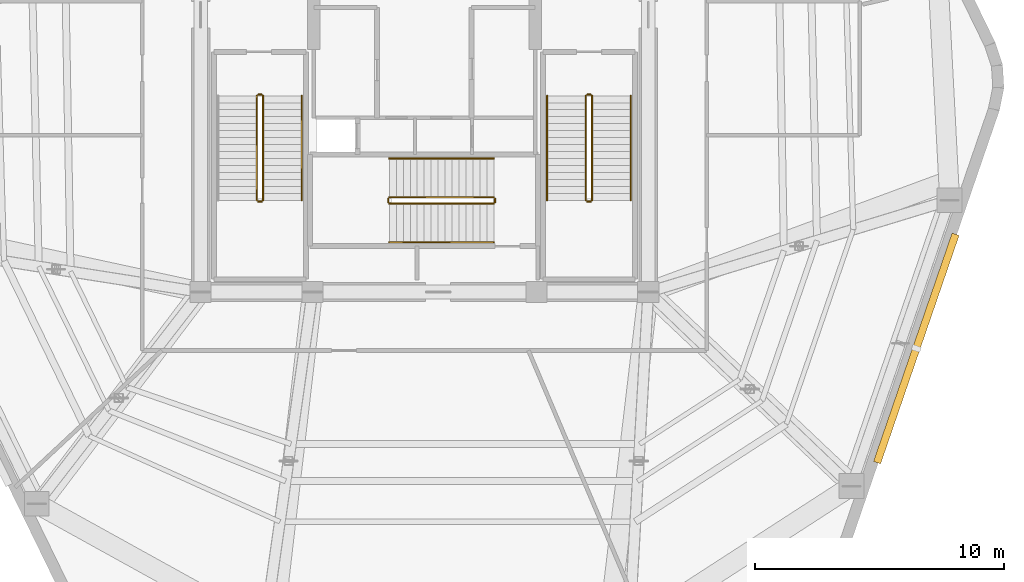
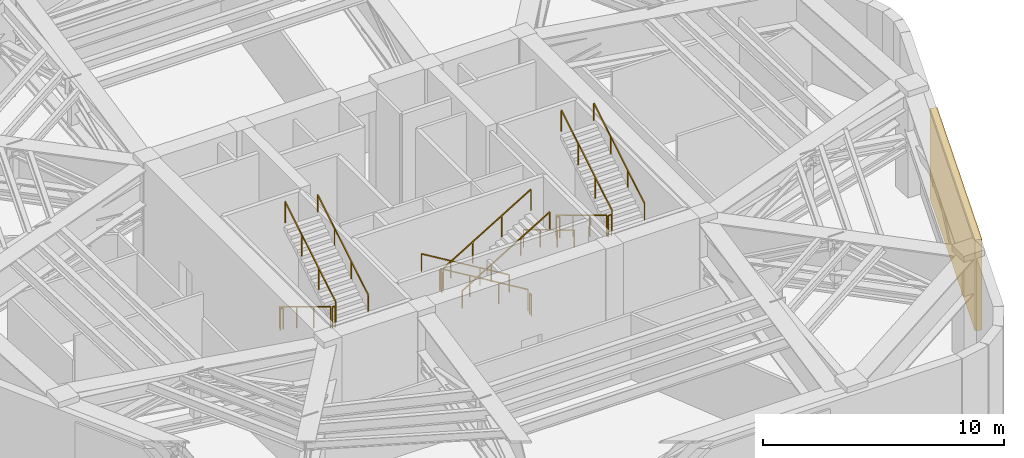
# One storey, part 9 of 10: 17 railings, 1 shading device.
"""IFC4 building model written with IfcOpenShell, lengths in metres."""

from ifc_helpers import new_model, si_unit, direction, frame, origin, origin_2d, place, context, subcontext, project, spatial, rectangle, extrude, material, layer, layer_set, type_object, element, save


model = new_model("IFC4")

# Units and contexts
model_context = context("Model", 3, precision=1e-05, world=origin(), true_north=direction((0.0, 1.0)))
body_context = subcontext(model_context, "Body", "Model", "MODEL_VIEW")
ifc_project = project(units=[si_unit("LENGTHUNIT", "METRE"), si_unit("AREAUNIT", "SQUARE_METRE"), si_unit("VOLUMEUNIT", "CUBIC_METRE"), si_unit("PLANEANGLEUNIT", "RADIAN"), si_unit("MASSUNIT", "GRAM", prefix="KILO")], contexts=[model_context])

# Site, building, storey
site_placement = place(None, origin())
site = spatial("IfcSite", under=ifc_project, at=site_placement, CompositionType="ELEMENT")
building_placement = place(site_placement, origin())
building = spatial("IfcBuilding", under=site, at=building_placement, Name="Kilnhurst Terrace Hotel", CompositionType="ELEMENT")
storey_placement = place(building_placement, frame((0.0, 0.0, 255.89990234375)))
storey = spatial("IfcBuildingStorey", under=building, at=storey_placement, Name="L64", CompositionType="ELEMENT", Elevation=255.89990234375)

# Railings
ifc_material_1 = material(Name="Powder-Coated Steel ASTM A500 Grade B", Category="steel")
ifc_layer_1 = layer(ifc_material_1, 0.050048828125, Name="Powder-Coated Steel ASTM A500 Grade B")
ifc_layer_set_1 = layer_set([ifc_layer_1], Name="Powder-Coated Steel ASTM A500 Grade B")
railing_type_1 = type_object("IfcRailingType", Name="RLG-ST-GRD-1100", PredefinedType="GUARDRAIL", material=ifc_layer_set_1)
railing_1_placement = place(storey_placement, frame((-6.739990234375, 0.389892578125, 0.1689453125)))
element("IfcRailing", 1, at=railing_1_placement, inside=storey, type_object=railing_type_1, Name="L64 ST-1 stair guard 1", PredefinedType="GUARDRAIL", context=body_context, shape_type="SweptSolid", body=[
    extrude(rectangle(XDim=0.048095703125, YDim=0.048095703125, at=origin_2d()), frame((0.0, 0.0, 1.076171875), z_axis=(0.0, -0.856476492594, 0.516186030065), x_axis=(1.0, 0.0, 0.0)), (0.0, 0.0, 1.0), 4.90380859375),
    extrude(rectangle(XDim=0.0419921875, YDim=0.0419921875, at=origin_2d()), origin(), (0.0, 0.0, 1.0), 1.052001953125),
    extrude(rectangle(XDim=0.0419921875, YDim=0.0419921875, at=origin_2d()), frame((0.0, -1.39990234375, 0.84375)), (0.0, 0.0, 1.0), 1.052001953125),
    extrude(rectangle(XDim=0.0419921875, YDim=0.0419921875, at=origin_2d()), frame((0.0, -2.800048828125, 1.6875)), (0.0, 0.0, 1.0), 1.052001953125),
    extrude(rectangle(XDim=0.0419921875, YDim=0.0419921875, at=origin_2d()), frame((0.0, -4.199951171875, 2.53125)), (0.0, 0.0, 1.0), 1.052001953125),
])
railing_2_placement = place(storey_placement, frame((-6.68994140625, -3.860107421875, 2.7001953125)))
element("IfcRailing", 2, at=railing_2_placement, inside=storey, type_object=railing_type_1, Name="L64 ST-1 stair guard 2", PredefinedType="GUARDRAIL", context=body_context, shape_type="SweptSolid", body=[
    extrude(rectangle(XDim=0.048095703125, YDim=0.048095703125, at=origin_2d()), frame((0.0, 0.0, 1.076171875), z_axis=(1.0, 0.0, 0.0), x_axis=(0.0, 1.0, 0.0)), (0.0, 0.0, 1.0), 0.14990234375),
    extrude(rectangle(XDim=0.0419921875, YDim=0.0419921875, at=origin_2d()), origin(), (0.0, 0.0, 1.0), 1.052001953125),
    extrude(rectangle(XDim=0.0419921875, YDim=0.0419921875, at=origin_2d()), frame((0.14990234375, 0.0, 0.0)), (0.0, 0.0, 1.0), 1.052001953125),
])
railing_3_placement = place(storey_placement, frame((-6.489990234375, -3.81005859375, 2.868896484375)))
element("IfcRailing", 3, at=railing_3_placement, inside=storey, type_object=railing_type_1, Name="L64 ST-1 stair guard 3", PredefinedType="GUARDRAIL", context=body_context, shape_type="SweptSolid", body=[
    extrude(rectangle(XDim=0.048095703125, YDim=0.048095703125, at=origin_2d()), frame((0.0, 0.0, 1.076171875), z_axis=(0.0, 0.856476492594, 0.516186030065), x_axis=(-1.0, 0.0, 0.0)), (0.0, 0.0, 1.0), 4.90380859375),
    extrude(rectangle(XDim=0.0419921875, YDim=0.0419921875, at=origin_2d()), origin(), (0.0, 0.0, 1.0), 1.052001953125),
    extrude(rectangle(XDim=0.0419921875, YDim=0.0419921875, at=origin_2d()), frame((0.0, 1.39990234375, 0.84375)), (0.0, 0.0, 1.0), 1.052001953125),
    extrude(rectangle(XDim=0.0419921875, YDim=0.0419921875, at=origin_2d()), frame((0.0, 2.800048828125, 1.6875)), (0.0, 0.0, 1.0), 1.052001953125),
    extrude(rectangle(XDim=0.0419921875, YDim=0.0419921875, at=origin_2d()), frame((0.0, 4.199951171875, 2.53125)), (0.0, 0.0, 1.0), 1.052001953125),
])
railing_4_placement = place(storey_placement, frame((-6.68994140625, 0.43994140625, 0.0)))
element("IfcRailing", 4, at=railing_4_placement, inside=storey, type_object=railing_type_1, Name="L64 ST-1 stair guard 4", PredefinedType="GUARDRAIL", context=body_context, shape_type="SweptSolid", body=[
    extrude(rectangle(XDim=0.048095703125, YDim=0.048095703125, at=origin_2d()), frame((0.0, 0.0, 1.076171875), z_axis=(1.0, 0.0, 0.0), x_axis=(0.0, 1.0, 0.0)), (0.0, 0.0, 1.0), 0.14990234375),
    extrude(rectangle(XDim=0.0419921875, YDim=0.0419921875, at=origin_2d()), origin(), (0.0, 0.0, 1.0), 1.052001953125),
    extrude(rectangle(XDim=0.0419921875, YDim=0.0419921875, at=origin_2d()), frame((0.14990234375, 0.0, 0.0)), (0.0, 0.0, 1.0), 1.052001953125),
])
railing_5_placement = place(storey_placement, frame((6.489990234375, 0.389892578125, 0.1689453125)))
element("IfcRailing", 5, at=railing_5_placement, inside=storey, type_object=railing_type_1, Name="L64 ST-2 stair guard 1", PredefinedType="GUARDRAIL", context=body_context, shape_type="SweptSolid", body=[
    extrude(rectangle(XDim=0.048095703125, YDim=0.048095703125, at=origin_2d()), frame((0.0, 0.0, 1.076171875), z_axis=(0.0, -0.856476492594, 0.516186030065), x_axis=(1.0, 0.0, 0.0)), (0.0, 0.0, 1.0), 4.90380859375),
    extrude(rectangle(XDim=0.0419921875, YDim=0.0419921875, at=origin_2d()), origin(), (0.0, 0.0, 1.0), 1.052001953125),
    extrude(rectangle(XDim=0.0419921875, YDim=0.0419921875, at=origin_2d()), frame((0.0, -1.39990234375, 0.84375)), (0.0, 0.0, 1.0), 1.052001953125),
    extrude(rectangle(XDim=0.0419921875, YDim=0.0419921875, at=origin_2d()), frame((0.0, -2.800048828125, 1.6875)), (0.0, 0.0, 1.0), 1.052001953125),
    extrude(rectangle(XDim=0.0419921875, YDim=0.0419921875, at=origin_2d()), frame((0.0, -4.199951171875, 2.53125)), (0.0, 0.0, 1.0), 1.052001953125),
])
railing_6_placement = place(storey_placement, frame((6.5400390625, -3.860107421875, 2.7001953125)))
element("IfcRailing", 6, at=railing_6_placement, inside=storey, type_object=railing_type_1, Name="L64 ST-2 stair guard 2", PredefinedType="GUARDRAIL", context=body_context, shape_type="SweptSolid", body=[
    extrude(rectangle(XDim=0.048095703125, YDim=0.048095703125, at=origin_2d()), frame((0.0, 0.0, 1.076171875), z_axis=(1.0, 0.0, 0.0), x_axis=(0.0, 1.0, 0.0)), (0.0, 0.0, 1.0), 0.14990234375),
    extrude(rectangle(XDim=0.0419921875, YDim=0.0419921875, at=origin_2d()), origin(), (0.0, 0.0, 1.0), 1.052001953125),
    extrude(rectangle(XDim=0.0419921875, YDim=0.0419921875, at=origin_2d()), frame((0.14990234375, 0.0, 0.0)), (0.0, 0.0, 1.0), 1.052001953125),
])
railing_7_placement = place(storey_placement, frame((6.739990234375, -3.81005859375, 2.868896484375)))
element("IfcRailing", 7, at=railing_7_placement, inside=storey, type_object=railing_type_1, Name="L64 ST-2 stair guard 3", PredefinedType="GUARDRAIL", context=body_context, shape_type="SweptSolid", body=[
    extrude(rectangle(XDim=0.048095703125, YDim=0.048095703125, at=origin_2d()), frame((0.0, 0.0, 1.076171875), z_axis=(0.0, 0.856476492594, 0.516186030065), x_axis=(-1.0, 0.0, 0.0)), (0.0, 0.0, 1.0), 4.90380859375),
    extrude(rectangle(XDim=0.0419921875, YDim=0.0419921875, at=origin_2d()), origin(), (0.0, 0.0, 1.0), 1.052001953125),
    extrude(rectangle(XDim=0.0419921875, YDim=0.0419921875, at=origin_2d()), frame((0.0, 1.39990234375, 0.84375)), (0.0, 0.0, 1.0), 1.052001953125),
    extrude(rectangle(XDim=0.0419921875, YDim=0.0419921875, at=origin_2d()), frame((0.0, 2.800048828125, 1.6875)), (0.0, 0.0, 1.0), 1.052001953125),
    extrude(rectangle(XDim=0.0419921875, YDim=0.0419921875, at=origin_2d()), frame((0.0, 4.199951171875, 2.53125)), (0.0, 0.0, 1.0), 1.052001953125),
])
railing_8_placement = place(storey_placement, frame((6.5400390625, 0.43994140625, 0.0)))
element("IfcRailing", 8, at=railing_8_placement, inside=storey, type_object=railing_type_1, Name="L64 ST-2 stair guard 4", PredefinedType="GUARDRAIL", context=body_context, shape_type="SweptSolid", body=[
    extrude(rectangle(XDim=0.048095703125, YDim=0.048095703125, at=origin_2d()), frame((0.0, 0.0, 1.076171875), z_axis=(1.0, 0.0, 0.0), x_axis=(0.0, 1.0, 0.0)), (0.0, 0.0, 1.0), 0.14990234375),
    extrude(rectangle(XDim=0.0419921875, YDim=0.0419921875, at=origin_2d()), origin(), (0.0, 0.0, 1.0), 1.052001953125),
    extrude(rectangle(XDim=0.0419921875, YDim=0.0419921875, at=origin_2d()), frame((0.14990234375, 0.0, 0.0)), (0.0, 0.0, 1.0), 1.052001953125),
])
railing_9_placement = place(storey_placement, frame((2.7900390625, -3.68994140625, 0.1689453125)))
element("IfcRailing", 9, at=railing_9_placement, inside=storey, type_object=railing_type_1, Name="L64 ST-3 stair guard 1", PredefinedType="GUARDRAIL", context=body_context, shape_type="SweptSolid", body=[
    extrude(rectangle(XDim=0.048095703125, YDim=0.048095703125, at=origin_2d()), frame((0.0, 0.0, 1.076171875), z_axis=(-0.856476492594, 0.0, 0.516186030065), x_axis=(0.0, -1.0, 0.0)), (0.0, 0.0, 1.0), 4.90380859375),
    extrude(rectangle(XDim=0.0419921875, YDim=0.0419921875, at=origin_2d()), origin(), (0.0, 0.0, 1.0), 1.052001953125),
    extrude(rectangle(XDim=0.0419921875, YDim=0.0419921875, at=origin_2d()), frame((-1.39990234375, 0.0, 0.84375)), (0.0, 0.0, 1.0), 1.052001953125),
    extrude(rectangle(XDim=0.0419921875, YDim=0.0419921875, at=origin_2d()), frame((-2.800048828125, 0.0, 1.6875)), (0.0, 0.0, 1.0), 1.052001953125),
    extrude(rectangle(XDim=0.0419921875, YDim=0.0419921875, at=origin_2d()), frame((-4.199951171875, 0.0, 2.53125)), (0.0, 0.0, 1.0), 1.052001953125),
])
railing_10_placement = place(storey_placement, frame((-1.4599609375, -3.739990234375, 2.7001953125)))
element("IfcRailing", 10, at=railing_10_placement, inside=storey, type_object=railing_type_1, Name="L64 ST-3 stair guard 2", PredefinedType="GUARDRAIL", context=body_context, shape_type="SweptSolid", body=[
    extrude(rectangle(XDim=0.048095703125, YDim=0.048095703125, at=origin_2d()), frame((0.0, 0.0, 1.076171875), z_axis=(0.0, -1.0, 0.0), x_axis=(1.0, 0.0, 0.0)), (0.0, 0.0, 1.0), 0.14990234375),
    extrude(rectangle(XDim=0.0419921875, YDim=0.0419921875, at=origin_2d()), origin(), (0.0, 0.0, 1.0), 1.052001953125),
    extrude(rectangle(XDim=0.0419921875, YDim=0.0419921875, at=origin_2d()), frame((0.0, -0.14990234375, 0.0)), (0.0, 0.0, 1.0), 1.052001953125),
])
railing_11_placement = place(storey_placement, frame((-1.409912109375, -3.93994140625, 2.868896484375)))
element("IfcRailing", 11, at=railing_11_placement, inside=storey, type_object=railing_type_1, Name="L64 ST-3 stair guard 3", PredefinedType="GUARDRAIL", context=body_context, shape_type="SweptSolid", body=[
    extrude(rectangle(XDim=0.048095703125, YDim=0.048095703125, at=origin_2d()), frame((0.0, 0.0, 1.076171875), z_axis=(0.856476492594, 0.0, 0.516186030065), x_axis=(0.0, 1.0, 0.0)), (0.0, 0.0, 1.0), 4.90380859375),
    extrude(rectangle(XDim=0.0419921875, YDim=0.0419921875, at=origin_2d()), origin(), (0.0, 0.0, 1.0), 1.052001953125),
    extrude(rectangle(XDim=0.0419921875, YDim=0.0419921875, at=origin_2d()), frame((1.39990234375, 0.0, 0.84375)), (0.0, 0.0, 1.0), 1.052001953125),
    extrude(rectangle(XDim=0.0419921875, YDim=0.0419921875, at=origin_2d()), frame((2.800048828125, 0.0, 1.6875)), (0.0, 0.0, 1.0), 1.052001953125),
    extrude(rectangle(XDim=0.0419921875, YDim=0.0419921875, at=origin_2d()), frame((4.199951171875, 0.0, 2.53125)), (0.0, 0.0, 1.0), 1.052001953125),
])
railing_12_placement = place(storey_placement, frame((2.840087890625, -3.739990234375, 0.0)))
element("IfcRailing", 12, at=railing_12_placement, inside=storey, type_object=railing_type_1, Name="L64 ST-3 stair guard 4", PredefinedType="GUARDRAIL", context=body_context, shape_type="SweptSolid", body=[
    extrude(rectangle(XDim=0.048095703125, YDim=0.048095703125, at=origin_2d()), frame((0.0, 0.0, 1.076171875), z_axis=(0.0, -1.0, 0.0), x_axis=(1.0, 0.0, 0.0)), (0.0, 0.0, 1.0), 0.14990234375),
    extrude(rectangle(XDim=0.0419921875, YDim=0.0419921875, at=origin_2d()), origin(), (0.0, 0.0, 1.0), 1.052001953125),
    extrude(rectangle(XDim=0.0419921875, YDim=0.0419921875, at=origin_2d()), frame((0.0, -0.14990234375, 0.0)), (0.0, 0.0, 1.0), 1.052001953125),
])
ifc_material_2 = material(Name="Brushed Stainless Steel AISI 304", Category="steel")
ifc_layer_2 = layer(ifc_material_2, 0.048095703125, Name="Brushed Stainless Steel AISI 304")
ifc_layer_set_2 = layer_set([ifc_layer_2], Name="Brushed Stainless Steel AISI 304")
railing_type_2 = type_object("IfcRailingType", Name="RLG-ST-HRL-900", PredefinedType="HANDRAIL", material=ifc_layer_set_2)
railing_13_placement = place(storey_placement, frame((-4.929931640625, -3.81005859375, 2.868896484375)))
element("IfcRailing", 13, at=railing_13_placement, inside=storey, type_object=railing_type_2, Name="L64 ST-1 stair handrail 2", PredefinedType="HANDRAIL", context=body_context, shape_type="SweptSolid", body=[
    extrude(rectangle(XDim=0.048095703125, YDim=0.048095703125, at=origin_2d()), frame((0.0, 0.0, 0.8759765625), z_axis=(0.0, 0.856476492594, 0.516186030065), x_axis=(-1.0, 0.0, 0.0)), (0.0, 0.0, 1.0), 4.90380859375),
    extrude(rectangle(XDim=0.0419921875, YDim=0.0419921875, at=origin_2d()), origin(), (0.0, 0.0, 1.0), 0.851806640625),
    extrude(rectangle(XDim=0.0419921875, YDim=0.0419921875, at=origin_2d()), frame((0.0, 1.39990234375, 0.84375)), (0.0, 0.0, 1.0), 0.851806640625),
    extrude(rectangle(XDim=0.0419921875, YDim=0.0419921875, at=origin_2d()), frame((0.0, 2.800048828125, 1.6875)), (0.0, 0.0, 1.0), 0.851806640625),
    extrude(rectangle(XDim=0.0419921875, YDim=0.0419921875, at=origin_2d()), frame((0.0, 4.199951171875, 2.53125)), (0.0, 0.0, 1.0), 0.851806640625),
])
railing_14_placement = place(storey_placement, frame((4.929931640625, 0.389892578125, 0.1689453125)))
element("IfcRailing", 14, at=railing_14_placement, inside=storey, type_object=railing_type_2, Name="L64 ST-2 stair handrail 1", PredefinedType="HANDRAIL", context=body_context, shape_type="SweptSolid", body=[
    extrude(rectangle(XDim=0.048095703125, YDim=0.048095703125, at=origin_2d()), frame((0.0, 0.0, 0.8759765625), z_axis=(0.0, -0.856476492594, 0.516186030065), x_axis=(1.0, 0.0, 0.0)), (0.0, 0.0, 1.0), 4.90380859375),
    extrude(rectangle(XDim=0.0419921875, YDim=0.0419921875, at=origin_2d()), origin(), (0.0, 0.0, 1.0), 0.851806640625),
    extrude(rectangle(XDim=0.0419921875, YDim=0.0419921875, at=origin_2d()), frame((0.0, -1.39990234375, 0.84375)), (0.0, 0.0, 1.0), 0.851806640625),
    extrude(rectangle(XDim=0.0419921875, YDim=0.0419921875, at=origin_2d()), frame((0.0, -2.800048828125, 1.6875)), (0.0, 0.0, 1.0), 0.851806640625),
    extrude(rectangle(XDim=0.0419921875, YDim=0.0419921875, at=origin_2d()), frame((0.0, -4.199951171875, 2.53125)), (0.0, 0.0, 1.0), 0.851806640625),
])
railing_15_placement = place(storey_placement, frame((8.300048828125, -3.81005859375, 2.868896484375)))
element("IfcRailing", 15, at=railing_15_placement, inside=storey, type_object=railing_type_2, Name="L64 ST-2 stair handrail 2", PredefinedType="HANDRAIL", context=body_context, shape_type="SweptSolid", body=[
    extrude(rectangle(XDim=0.048095703125, YDim=0.048095703125, at=origin_2d()), frame((0.0, 0.0, 0.8759765625), z_axis=(0.0, 0.856476492594, 0.516186030065), x_axis=(-1.0, 0.0, 0.0)), (0.0, 0.0, 1.0), 4.90380859375),
    extrude(rectangle(XDim=0.0419921875, YDim=0.0419921875, at=origin_2d()), origin(), (0.0, 0.0, 1.0), 0.851806640625),
    extrude(rectangle(XDim=0.0419921875, YDim=0.0419921875, at=origin_2d()), frame((0.0, 1.39990234375, 0.84375)), (0.0, 0.0, 1.0), 0.851806640625),
    extrude(rectangle(XDim=0.0419921875, YDim=0.0419921875, at=origin_2d()), frame((0.0, 2.800048828125, 1.6875)), (0.0, 0.0, 1.0), 0.851806640625),
    extrude(rectangle(XDim=0.0419921875, YDim=0.0419921875, at=origin_2d()), frame((0.0, 4.199951171875, 2.53125)), (0.0, 0.0, 1.0), 0.851806640625),
])
railing_16_placement = place(storey_placement, frame((2.7900390625, -2.1298828125, 0.1689453125)))
element("IfcRailing", 16, at=railing_16_placement, inside=storey, type_object=railing_type_2, Name="L64 ST-3 stair handrail 1", PredefinedType="HANDRAIL", context=body_context, shape_type="SweptSolid", body=[
    extrude(rectangle(XDim=0.048095703125, YDim=0.048095703125, at=origin_2d()), frame((0.0, 0.0, 0.8759765625), z_axis=(-0.856476492594, 0.0, 0.516186030065), x_axis=(0.0, -1.0, 0.0)), (0.0, 0.0, 1.0), 4.90380859375),
    extrude(rectangle(XDim=0.0419921875, YDim=0.0419921875, at=origin_2d()), origin(), (0.0, 0.0, 1.0), 0.851806640625),
    extrude(rectangle(XDim=0.0419921875, YDim=0.0419921875, at=origin_2d()), frame((-1.39990234375, 0.0, 0.84375)), (0.0, 0.0, 1.0), 0.851806640625),
    extrude(rectangle(XDim=0.0419921875, YDim=0.0419921875, at=origin_2d()), frame((-2.800048828125, 0.0, 1.6875)), (0.0, 0.0, 1.0), 0.851806640625),
    extrude(rectangle(XDim=0.0419921875, YDim=0.0419921875, at=origin_2d()), frame((-4.199951171875, 0.0, 2.53125)), (0.0, 0.0, 1.0), 0.851806640625),
])
railing_17_placement = place(storey_placement, frame((-1.409912109375, -5.5, 2.868896484375)))
element("IfcRailing", 17, at=railing_17_placement, inside=storey, type_object=railing_type_2, Name="L64 ST-3 stair handrail 2", PredefinedType="HANDRAIL", context=body_context, shape_type="SweptSolid", body=[
    extrude(rectangle(XDim=0.048095703125, YDim=0.048095703125, at=origin_2d()), frame((0.0, 0.0, 0.8759765625), z_axis=(0.856476492594, 0.0, 0.516186030065), x_axis=(0.0, 1.0, 0.0)), (0.0, 0.0, 1.0), 4.90380859375),
    extrude(rectangle(XDim=0.0419921875, YDim=0.0419921875, at=origin_2d()), origin(), (0.0, 0.0, 1.0), 0.851806640625),
    extrude(rectangle(XDim=0.0419921875, YDim=0.0419921875, at=origin_2d()), frame((1.39990234375, 0.0, 0.84375)), (0.0, 0.0, 1.0), 0.851806640625),
    extrude(rectangle(XDim=0.0419921875, YDim=0.0419921875, at=origin_2d()), frame((2.800048828125, 0.0, 1.6875)), (0.0, 0.0, 1.0), 0.851806640625),
    extrude(rectangle(XDim=0.0419921875, YDim=0.0419921875, at=origin_2d()), frame((4.199951171875, 0.0, 2.53125)), (0.0, 0.0, 1.0), 0.851806640625),
])

# Shading device
ifc_material_3 = material(Name="Bronze Anodized Extruded Aluminium Alloy 6063-T6", Category="aluminium")
ifc_layer_3 = layer(ifc_material_3, 0.300048828125, Name="Bronze Anodized Extruded Aluminium Alloy 6063-T6")
ifc_layer_set_3 = layer_set([ifc_layer_3], Name="Bronze Anodized Extruded Aluminium Alloy 6063-T6")
shading_device_type = type_object("IfcShadingDeviceType", Name="SHD-LVR-4600", PredefinedType="USERDEFINED", material=ifc_layer_set_3)
shading_device_placement = place(storey_placement, frame((19.77685546875, -9.769287109375, 0.25), z_axis=(0.0, 0.0, 1.0), x_axis=(0.325089542819, 0.94568323933, 0.0)))
element("IfcShadingDevice", 18, at=shading_device_placement, inside=storey, type_object=shading_device_type, Name="L64 Mechanical Intake Storm Louvre F2", ObjectType="LOUVRE", PredefinedType="USERDEFINED", context=body_context, shape_type="SweptSolid", body=[
    extrude(rectangle(XDim=9.7080078125, YDim=0.300048828125, at=origin_2d()), origin(), (0.0, 0.0, 1.0), 4.60009765625),
])

save(model, "model.ifc")
